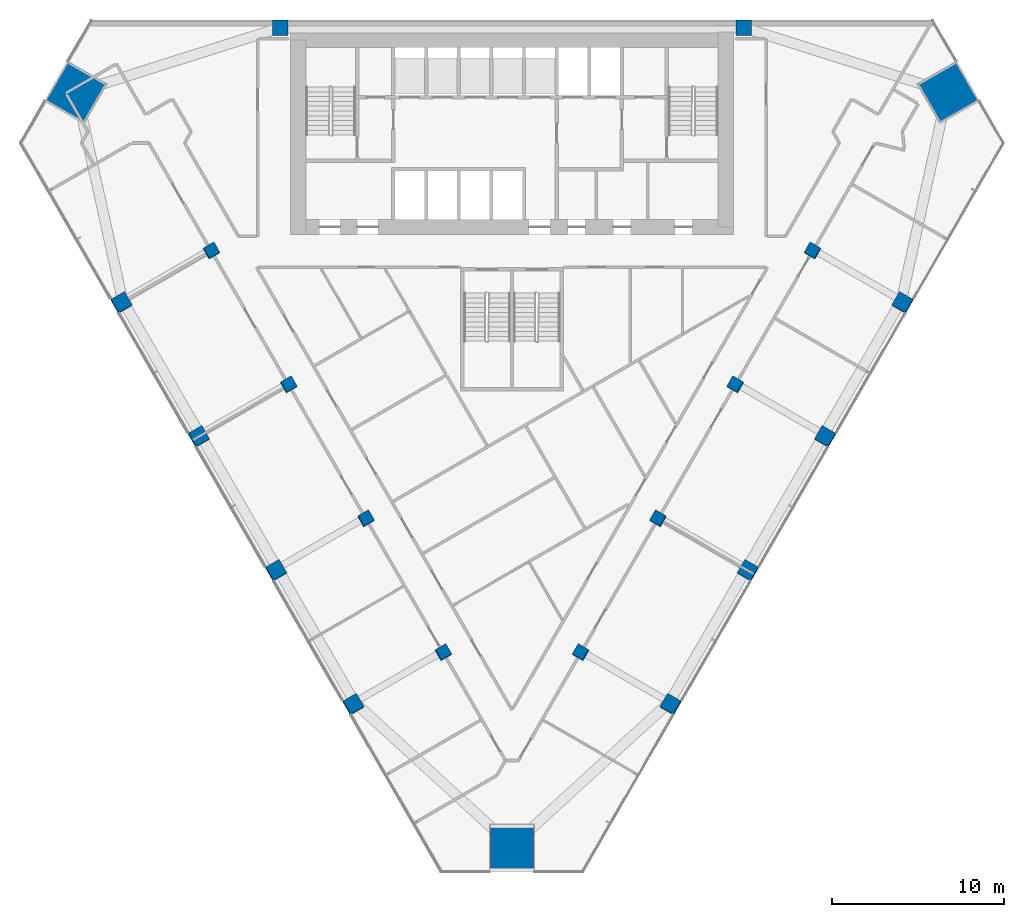
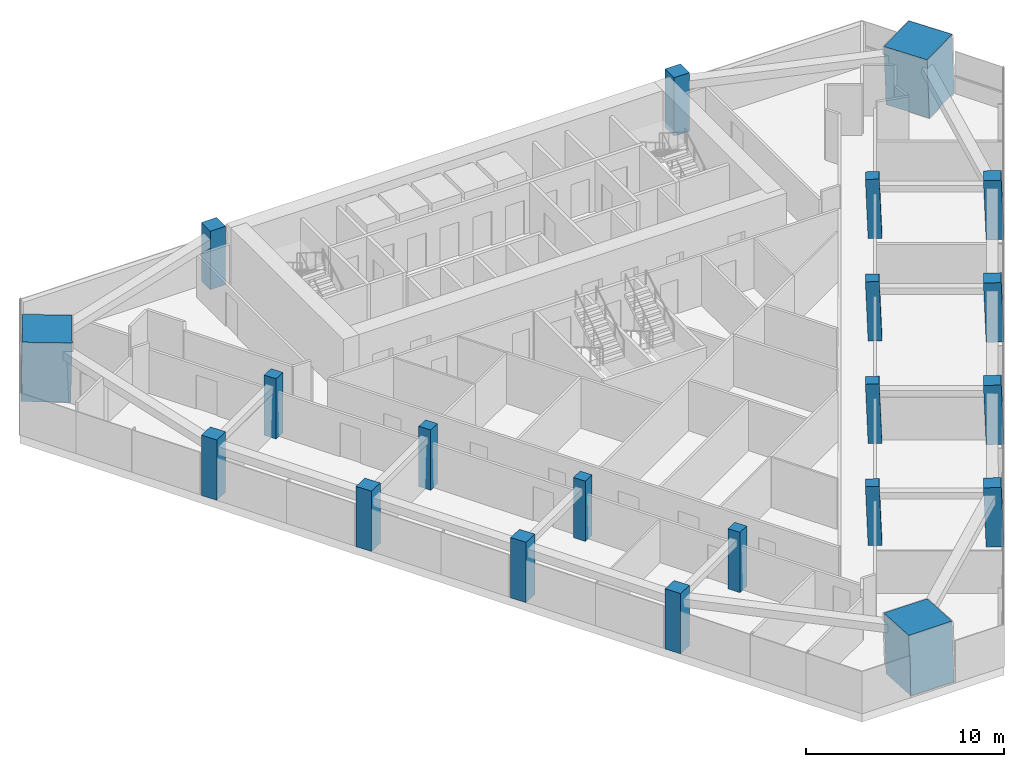
# One storey, part 1 of 14: 21 columns.
"""IFC4 building model written with IfcOpenShell, lengths in metres."""

from ifc_helpers import new_model, si_unit, direction, frame, origin, origin_2d, place, context, subcontext, project, spatial, rectangle, extrude, material, material_profile, profile_set, type_object, element, save


model = new_model("IFC4")

# Units and contexts
model_context = context("Model", 3, precision=1e-05, world=origin(), true_north=direction((0.0, 1.0)))
body_context = subcontext(model_context, "Body", "Model", "MODEL_VIEW")
ifc_project = project(units=[si_unit("LENGTHUNIT", "METRE"), si_unit("AREAUNIT", "SQUARE_METRE"), si_unit("VOLUMEUNIT", "CUBIC_METRE"), si_unit("PLANEANGLEUNIT", "RADIAN"), si_unit("MASSUNIT", "GRAM", prefix="KILO")], contexts=[model_context])

# Site, building, storey
site_placement = place(None, origin())
site = spatial("IfcSite", under=ifc_project, at=site_placement, CompositionType="ELEMENT")
building_placement = place(site_placement, origin())
building = spatial("IfcBuilding", under=site, at=building_placement, Name="Altiplano Prism Tower", CompositionType="ELEMENT")
storey_placement = place(building_placement, frame((0.0, 0.0, 108.0)))
storey = spatial("IfcBuildingStorey", under=building, at=storey_placement, Name="L27", CompositionType="ELEMENT", Elevation=108.0)

# Columns
ifc_material_1 = material(Name="Concrete C60/75", Category="concrete")
ifc_material_profile_1 = material_profile(ifc_material_1, rectangle(XDim=0.699951171875, YDim=0.699951171875, at=origin_2d()), Name="Inner column 700")
ifc_profile_set_1 = profile_set([ifc_material_profile_1], Name="Concrete C60/75")
column_type_1 = type_object("IfcColumnType", Name="Inner column 700", PredefinedType="COLUMN", material=ifc_profile_set_1)
for number, where, z_axis, x_axis, name in (
    (1, (67.491943359375, 91.557861328125, -0.021240234375), (0.022221406801, 0.038413224561, 0.999014831351), (-0.866021380218, -0.498527772566, 0.0384321348), "Inner column I11 L27"),
    (2, (71.991943359375, 83.763671875, -0.021240234375), (0.022221406801, 0.038413224561, 0.999014831351), (-0.866024047958, -0.498523147388, 0.038432016296), "Inner column I12 L27"),
    (3, (76.491943359375, 75.96923828125, -0.021240234375), (0.02222134892, 0.038480872521, 0.999012229206), (-0.865639410047, -0.499186822153, 0.038482832055), "Inner column I13 L27"),
    (4, (80.991943359375, 68.175048828125, -0.021240234375), (0.02222134892, 0.038480872521, 0.999012229206), (-0.865639410047, -0.499186822153, 0.038482832055), "Inner column I14 L27"),
    (5, (89.008056640625, 68.175048828125, -0.021240234375), (-0.02222134892, 0.038480872521, 0.999012229206), (-0.500174592943, -0.865639497158, 0.022217955235), "Inner column I21 L27"),
    (6, (93.508056640625, 75.96923828125, -0.021240234375), (-0.02222134892, 0.038480872521, 0.999012229206), (-0.500174592943, -0.865639497158, 0.022217955235), "Inner column I22 L27"),
    (7, (98.008056640625, 83.763671875, -0.021240234375), (-0.022221406801, 0.038413224561, 0.999014831351), (-0.499508315684, -0.866024881685, 0.022188890572), "Inner column I23 L27"),
    (8, (102.508056640625, 91.557861328125, -0.021240234375), (-0.022221406801, 0.038413224561, 0.999014831351), (-0.499508315684, -0.866024881685, 0.022188890572), "Inner column I24 L27"),
):
    element("IfcColumn", number, at=place(storey_placement, frame(where, z_axis=z_axis, x_axis=x_axis)), inside=storey, type_object=column_type_1, Name=name, PredefinedType="COLUMN", context=body_context, shape_type="SweptSolid", body=[
        extrude(rectangle(XDim=0.699951171875, YDim=0.699951171875, at=origin_2d()), origin(), (0.0, 0.0, 1.0), 3.603759765625),
    ])
ifc_material_2 = material(Name="Concrete C70/85", Category="concrete")
ifc_material_profile_2 = material_profile(ifc_material_2, rectangle(XDim=2.52001953125, YDim=2.52001953125, at=origin_2d()), Name="Mega column infill 2600")
ifc_profile_set_2 = profile_set([ifc_material_profile_2], Name="Concrete C70/85")
column_type_2 = type_object("IfcColumnType", Name="Mega column infill 2600", PredefinedType="COLUMN", material=ifc_profile_set_2)
column_1_placement = place(storey_placement, frame((59.553466796875, 100.769775390625, 0.0), z_axis=(0.028401796786, 0.009286506348, 0.999553449666), x_axis=(-0.866201942086, 0.499294741171, 0.019973907107)))
element("IfcColumn", 9, at=column_1_placement, inside=storey, type_object=column_type_2, Name="Mega column M0 L27", PredefinedType="COLUMN", context=body_context, shape_type="SweptSolid", body=[
    extrude(rectangle(XDim=2.52001953125, YDim=2.52001953125, at=origin_2d()), origin(), (0.0, 0.0, 1.0), 3.601806640625),
])
column_2_placement = place(storey_placement, frame((85.0, 56.695068359375, 0.0), z_axis=(0.0, 0.058356907999, 0.998295783467), x_axis=(-1.0, 0.0, 0.0)))
element("IfcColumn", 10, at=column_2_placement, inside=storey, type_object=column_type_2, Name="Mega column M1 L27", PredefinedType="COLUMN", context=body_context, shape_type="SweptSolid", body=[
    extrude(rectangle(XDim=2.52001953125, YDim=2.52001953125, at=origin_2d()), origin(), (0.0, 0.0, 1.0), 3.606201171875),
])
column_3_placement = place(storey_placement, frame((110.446533203125, 100.769775390625, 0.0), z_axis=(-0.028401796786, 0.009286506348, 0.999553449666), x_axis=(0.498886293123, -0.86638243417, 0.022224857609)))
element("IfcColumn", 11, at=column_3_placement, inside=storey, type_object=column_type_2, Name="Mega column M2 L27", PredefinedType="COLUMN", context=body_context, shape_type="SweptSolid", body=[
    extrude(rectangle(XDim=2.52001953125, YDim=2.52001953125, at=origin_2d()), origin(), (0.0, 0.0, 1.0), 3.601806640625),
])
ifc_material_profile_3 = material_profile(ifc_material_1, rectangle(XDim=0.89990234375, YDim=0.89990234375, at=origin_2d()), Name="Perimeter column 900")
ifc_profile_set_3 = profile_set([ifc_material_profile_3], Name="Concrete C60/75")
column_type_3 = type_object("IfcColumnType", Name="Perimeter column 900", PredefinedType="COLUMN", material=ifc_profile_set_3)
for number, where, z_axis, x_axis, name in (
    (12, (98.5, 104.550048828125, 0.0), (0.0, 0.0, 1.0), (1.0, 0.0, 0.0), "Perimeter column P01 L27"),
    (13, (71.5, 104.550048828125, 0.0), (0.0, 0.0, 1.0), (1.0, 0.0, 0.0), "Perimeter column P04 L27"),
):
    element("IfcColumn", number, at=place(storey_placement, frame(where, z_axis=z_axis, x_axis=x_axis)), inside=storey, type_object=column_type_3, Name=name, PredefinedType="COLUMN", context=body_context, shape_type="SweptSolid", body=[
        extrude(rectangle(XDim=0.89990234375, YDim=0.89990234375, at=origin_2d()), origin(), (0.0, 0.0, 1.0), 3.60009765625),
    ])
for number, where, z_axis, x_axis, name in (
    (14, (62.25244140625, 88.532470703125, -0.02734375), (0.022153634206, 0.038480930364, 0.999013730882), (-0.864982397443, -0.500326676419, 0.038453465087), "Perimeter column P11 L27"),
    (15, (66.75244140625, 80.73828125, -0.02734375), (0.022153634206, 0.038480930364, 0.999013730882), (-0.864982397443, -0.500326676419, 0.038453465087), "Perimeter column P12 L27"),
    (16, (71.25244140625, 72.944091796875, -0.02734375), (0.022153634206, 0.038480930364, 0.999013730882), (-0.864979728815, -0.500331280926, 0.038453583269), "Perimeter column P13 L27"),
    (17, (75.75244140625, 65.14990234375, -0.02734375), (0.02215369191, 0.038413282303, 0.999016333038), (-0.865361987983, -0.499673744646, 0.038402847096), "Perimeter column P14 L27"),
    (18, (94.24755859375, 65.14990234375, -0.02734375), (-0.02215369191, 0.038413282303, 0.999016333038), (-0.500657411499, -0.865361524829, 0.022171776144), "Perimeter column P21 L27"),
    (19, (98.74755859375, 72.944091796875, -0.02734375), (-0.022153634206, 0.038480930364, 0.999013730882), (-0.501317549295, -0.864978512638, 0.022201068531), "Perimeter column P22 L27"),
    (20, (103.24755859375, 80.73828125, -0.02734375), (-0.022153634206, 0.038480930364, 0.999013730882), (-0.501312944781, -0.864981176016, 0.022201273229), "Perimeter column P23 L27"),
    (21, (107.74755859375, 88.532470703125, -0.02734375), (-0.022153634206, 0.038480930364, 0.999013730882), (-0.501312944781, -0.864981176016, 0.022201273229), "Perimeter column P24 L27"),
):
    element("IfcColumn", number, at=place(storey_placement, frame(where, z_axis=z_axis, x_axis=x_axis)), inside=storey, type_object=column_type_3, Name=name, PredefinedType="COLUMN", context=body_context, shape_type="SweptSolid", body=[
        extrude(rectangle(XDim=0.89990234375, YDim=0.89990234375, at=origin_2d()), origin(), (0.0, 0.0, 1.0), 3.603759765625),
    ])

save(model, "model.ifc")
